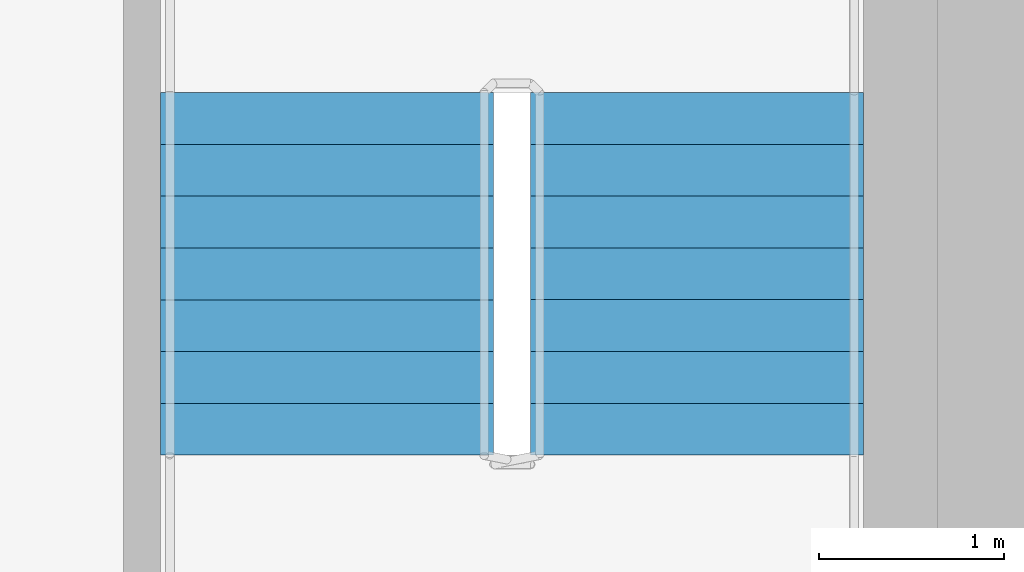
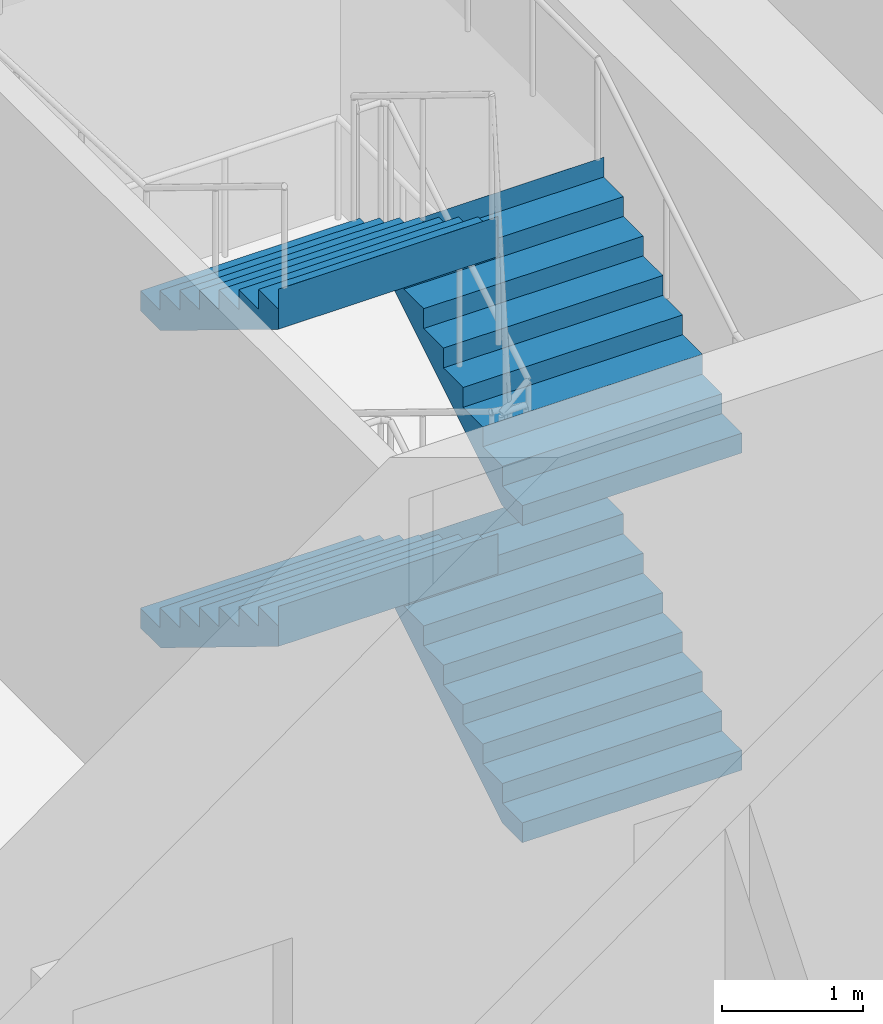
# One storey, part 5 of 8: 4 stair flights, 1 element without a shape of its own.
"""IFC4 building model written with IfcOpenShell, lengths in metres."""

from ifc_helpers import new_model, si_unit, direction, frame, origin, place, context, subcontext, project, spatial, polyline, outline, extrude, material, type_object, element, aggregate, save


model = new_model("IFC4")

# Units and contexts
model_context = context("Model", 3, precision=1e-05, world=origin(), true_north=direction((0.0, 1.0)))
body_context = subcontext(model_context, "Body", "Model", "MODEL_VIEW")
ifc_project = project(units=[si_unit("LENGTHUNIT", "METRE"), si_unit("AREAUNIT", "SQUARE_METRE"), si_unit("VOLUMEUNIT", "CUBIC_METRE"), si_unit("PLANEANGLEUNIT", "RADIAN"), si_unit("MASSUNIT", "GRAM", prefix="KILO")], contexts=[model_context])

# Site, building, storey
site_placement = place(None, origin())
site = spatial("IfcSite", under=ifc_project, at=site_placement, CompositionType="ELEMENT")
building_placement = place(site_placement, origin())
building = spatial("IfcBuilding", under=site, at=building_placement, Name="Tamorin Gate", CompositionType="ELEMENT")
storey_placement = place(building_placement, frame((0.0, 0.0, 314.699951171875)))
storey = spatial("IfcBuildingStorey", under=building, at=storey_placement, Name="L77", CompositionType="ELEMENT", Elevation=314.699951171875)

# Stair, stair flights
ifc_material = material(Name="Concrete C40/50", Category="concrete")
stair_type = type_object("IfcStairType", Name="Exit stair", PredefinedType="HALF_TURN_STAIR", material=ifc_material)
stair_placement = place(storey_placement, origin())
stair = element("IfcStair", 1, at=stair_placement, inside=storey, type_object=stair_type, Name="L77 stair ST3", PredefinedType="HALF_TURN_STAIR")
stair_flight_type = type_object("IfcStairFlightType", Name="Exit stair flight", PredefinedType="STRAIGHT", material=ifc_material)
stair_flight_1_placement = place(storey_placement, frame((58.10009765625, 62.800048828125, 0.0), z_axis=(0.0, 0.0, 1.0), x_axis=(0.0, 1.0, 0.0)))
stair_flight_1 = element("IfcStairFlight", 2, at=stair_flight_1_placement, type_object=stair_flight_type, Name="ST3 flight 1", NumberOfRisers=8, NumberOfTreads=7, PredefinedType="STRAIGHT", RiserHeight=0.171875, TreadLength=0.28, context=body_context, shape_type="SweptSolid", body=[
    extrude(outline(polyline([(-0.00048828125, 0.0), (-0.00048828125, 0.001708984375), (-0.00048828125, 0.00341796875), (-0.00048828125, 0.005126953125), (-0.00048828125, 0.0068359375), (-0.00048828125, 0.008544921875), (-0.00048828125, 0.01025390625), (-0.00048828125, 0.011962890625), (-0.00048828125, 0.013671875), (-0.00048828125, 0.015380859375), (-0.00048828125, 0.01708984375), (-0.00048828125, 0.018798828125), (-0.00048828125, 0.0205078125), (-0.00048828125, 0.022216796875), (-0.00048828125, 0.02392578125), (-0.00048828125, 0.025634765625), (-0.00048828125, 0.02734375), (-0.00048828125, 0.02880859375), (-0.00048828125, 0.030517578125), (-0.00048828125, 0.0322265625), (-0.00048828125, 0.033935546875), (-0.00048828125, 0.03564453125), (-0.00048828125, 0.037353515625), (-0.00048828125, 0.0390625), (-0.00048828125, 0.040771484375), (-0.00048828125, 0.04248046875), (-0.00048828125, 0.044189453125), (-0.00048828125, 0.0458984375), (-0.00048828125, 0.047607421875), (-0.00048828125, 0.04931640625), (-0.00048828125, 0.051025390625), (-0.00048828125, 0.052734375), (-0.00048828125, 0.054443359375), (-0.00048828125, 0.05615234375), (-0.00048828125, 0.057861328125), (-0.00048828125, 0.0595703125), (-0.00048828125, 0.061279296875), (-0.00048828125, 0.06298828125), (-0.00048828125, 0.064697265625), (-0.00048828125, 0.06640625), (-0.00048828125, 0.068115234375), (-0.00048828125, 0.06982421875), (-0.00048828125, 0.071533203125), (-0.00048828125, 0.0732421875), (-0.00048828125, 0.074951171875), (-0.00048828125, 0.07666015625), (-0.00048828125, 0.078369140625), (-0.00048828125, 0.080078125), (-0.00048828125, 0.081787109375), (-0.00048828125, 0.08349609375), (-0.00048828125, 0.085205078125), (-0.00048828125, 0.086669921875), (-0.00048828125, 0.08837890625), (-0.00048828125, 0.090087890625), (-0.00048828125, 0.091796875), (-0.00048828125, 0.093505859375), (-0.00048828125, 0.09521484375), (-0.00048828125, 0.096923828125), (-0.00048828125, 0.0986328125), (-0.00048828125, 0.100341796875), (-0.00048828125, 0.10205078125), (-0.00048828125, 0.103759765625), (-0.00048828125, 0.10546875), (-0.00048828125, 0.107177734375), (-0.00048828125, 0.10888671875), (-0.00048828125, 0.110595703125), (-0.00048828125, 0.1123046875), (-0.00048828125, 0.114013671875), (-0.00048828125, 0.11572265625), (-0.00048828125, 0.117431640625), (-0.00048828125, 0.119140625), (-0.00048828125, 0.120849609375), (-0.00048828125, 0.12255859375), (-0.00048828125, 0.124267578125), (-0.00048828125, 0.1259765625), (-0.00048828125, 0.127685546875), (-0.00048828125, 0.12939453125), (-0.00048828125, 0.131103515625), (-0.00048828125, 0.1328125), (-0.00048828125, 0.134521484375), (-0.00048828125, 0.13623046875), (-0.00048828125, 0.137939453125), (-0.00048828125, 0.1396484375), (-0.00048828125, 0.141357421875), (-0.00048828125, 0.14306640625), (-0.00048828125, 0.14453125), (-0.00048828125, 0.146240234375), (-0.00048828125, 0.14794921875), (-0.00048828125, 0.149658203125), (-0.00048828125, 0.1513671875), (-0.00048828125, 0.153076171875), (-0.00048828125, 0.15478515625), (-0.00048828125, 0.156494140625), (-0.00048828125, 0.158203125), (-0.00048828125, 0.159912109375), (-0.00048828125, 0.16162109375), (-0.00048828125, 0.163330078125), (-0.00048828125, 0.1650390625), (-0.00048828125, 0.166748046875), (-0.00048828125, 0.16845703125), (-0.00048828125, 0.170166015625), (-0.00048828125, 0.171875), (0.280029296875, 0.171875), (0.280029296875, 0.34375), (0.56005859375, 0.34375), (0.56005859375, 0.515625), (0.840087890625, 0.515625), (0.840087890625, 0.6875), (1.1201171875, 0.6875), (1.1201171875, 0.859375), (1.39990234375, 0.859375), (1.39990234375, 1.03125), (1.679931640625, 1.03125), (1.679931640625, 1.203125), (1.9599609375, 1.203125), (1.9599609375, 1.375), (1.96044921875, 1.375), (1.96044921875, 1.37158203125), (1.96044921875, 1.3681640625), (1.96044921875, 1.36474609375), (1.96044921875, 1.361328125), (1.96044921875, 1.357666015625), (1.96044921875, 1.354248046875), (1.96044921875, 1.350830078125), (1.96044921875, 1.347412109375), (1.96044921875, 1.343994140625), (1.96044921875, 1.340576171875), (1.96044921875, 1.337158203125), (1.96044921875, 1.333740234375), (1.96044921875, 1.330322265625), (1.96044921875, 1.326904296875), (1.96044921875, 1.3232421875), (1.96044921875, 1.31982421875), (1.96044921875, 1.31640625), (1.96044921875, 1.31298828125), (1.96044921875, 1.3095703125), (1.96044921875, 1.30615234375), (1.96044921875, 1.302734375), (1.96044921875, 1.29931640625), (1.96044921875, 1.2958984375), (1.96044921875, 1.29248046875), (1.96044921875, 1.288818359375), (1.96044921875, 1.285400390625), (1.96044921875, 1.281982421875), (1.96044921875, 1.278564453125), (1.96044921875, 1.275146484375), (1.96044921875, 1.271728515625), (1.96044921875, 1.268310546875), (1.96044921875, 1.264892578125), (1.96044921875, 1.261474609375), (1.96044921875, 1.2578125), (1.96044921875, 1.25439453125), (1.96044921875, 1.2509765625), (1.96044921875, 1.24755859375), (1.96044921875, 1.244140625), (1.96044921875, 1.24072265625), (1.96044921875, 1.2373046875), (1.96044921875, 1.23388671875), (1.96044921875, 1.23046875), (1.96044921875, 1.22705078125), (1.96044921875, 1.223388671875), (1.96044921875, 1.219970703125), (1.96044921875, 1.216552734375), (1.96044921875, 1.213134765625), (1.96044921875, 1.209716796875), (1.96044921875, 1.206298828125), (1.96044921875, 1.202880859375), (1.96044921875, 1.199462890625), (1.96044921875, 1.196044921875), (1.96044921875, 1.192626953125), (1.96044921875, 1.18896484375), (1.96044921875, 1.185546875), (1.96044921875, 1.18212890625), (1.96044921875, 1.1787109375), (1.96044921875, 1.17529296875), (1.96044921875, 1.171875), (1.96044921875, 1.16845703125), (1.96044921875, 1.1650390625), (1.96044921875, 1.16162109375), (1.96044921875, 1.157958984375), (1.96044921875, 1.154541015625), (1.96044921875, 1.151123046875), (1.96044921875, 1.147705078125), (1.96044921875, 1.144287109375), (1.96044921875, 1.140869140625), (1.96044921875, 1.137451171875), (1.96044921875, 1.134033203125), (1.96044921875, 1.130615234375), (1.96044921875, 1.127197265625), (1.96044921875, 1.12353515625), (1.96044921875, 1.1201171875), (1.96044921875, 1.11669921875), (1.96044921875, 1.11328125), (1.96044921875, 1.10986328125), (1.96044921875, 1.1064453125), (1.96044921875, 1.10302734375), (1.96044921875, 1.099609375), (1.96044921875, 1.09619140625), (1.96044921875, 1.0927734375), (1.96044921875, 1.089111328125), (1.96044921875, 1.085693359375), (1.96044921875, 1.082275390625), (1.96044921875, 1.078857421875), (1.96044921875, 1.075439453125), (1.96044921875, 1.072021484375), (1.96044921875, 1.068603515625), (1.96044921875, 1.065185546875), (1.96044921875, 1.061767578125), (1.96044921875, 1.05810546875), (1.96044921875, 1.0546875), (1.96044921875, 1.05126953125), (1.96044921875, 1.0478515625), (1.96044921875, 1.04443359375), (1.96044921875, 1.041015625), (1.96044921875, 1.03759765625), (1.96044921875, 1.0341796875), (1.96044921875, 1.03076171875), (1.96044921875, 1.02734375), (1.9599609375, 1.02734375), (0.28662109375, 0.0), (-0.00048828125, 0.0)])), frame((0.0, 0.89990234375, 0.0), z_axis=(0.0, -1.0, 0.0), x_axis=(1.0, 0.0, 0.0)), (0.0, 0.0, 1.0), 1.800048828125),
])
stair_flight_2_placement = place(storey_placement, frame((56.10009765625, 64.760009765625, 1.375), z_axis=(0.0, 0.0, 1.0), x_axis=(0.0, -1.0, 0.0)))
stair_flight_2 = element("IfcStairFlight", 3, at=stair_flight_2_placement, type_object=stair_flight_type, Name="ST3 flight 2", NumberOfRisers=8, NumberOfTreads=7, PredefinedType="STRAIGHT", RiserHeight=0.171875, TreadLength=0.28, context=body_context, shape_type="SweptSolid", body=[
    extrude(outline(polyline([(-0.00048828125, 0.0), (-0.00048828125, 0.001708984375), (-0.00048828125, 0.00341796875), (-0.00048828125, 0.005126953125), (-0.00048828125, 0.0068359375), (-0.00048828125, 0.008544921875), (-0.00048828125, 0.01025390625), (-0.00048828125, 0.011962890625), (-0.00048828125, 0.013671875), (-0.00048828125, 0.015380859375), (-0.00048828125, 0.01708984375), (-0.00048828125, 0.018798828125), (-0.00048828125, 0.0205078125), (-0.00048828125, 0.022216796875), (-0.00048828125, 0.02392578125), (-0.00048828125, 0.025634765625), (-0.00048828125, 0.02734375), (-0.00048828125, 0.02880859375), (-0.00048828125, 0.030517578125), (-0.00048828125, 0.0322265625), (-0.00048828125, 0.033935546875), (-0.00048828125, 0.03564453125), (-0.00048828125, 0.037353515625), (-0.00048828125, 0.0390625), (-0.00048828125, 0.040771484375), (-0.00048828125, 0.04248046875), (-0.00048828125, 0.044189453125), (-0.00048828125, 0.0458984375), (-0.00048828125, 0.047607421875), (-0.00048828125, 0.04931640625), (-0.00048828125, 0.051025390625), (-0.00048828125, 0.052734375), (-0.00048828125, 0.054443359375), (-0.00048828125, 0.05615234375), (-0.00048828125, 0.057861328125), (-0.00048828125, 0.0595703125), (-0.00048828125, 0.061279296875), (-0.00048828125, 0.06298828125), (-0.00048828125, 0.064697265625), (-0.00048828125, 0.06640625), (-0.00048828125, 0.068115234375), (-0.00048828125, 0.06982421875), (-0.00048828125, 0.071533203125), (-0.00048828125, 0.0732421875), (-0.00048828125, 0.074951171875), (-0.00048828125, 0.07666015625), (-0.00048828125, 0.078369140625), (-0.00048828125, 0.080078125), (-0.00048828125, 0.081787109375), (-0.00048828125, 0.08349609375), (-0.00048828125, 0.085205078125), (-0.00048828125, 0.086669921875), (-0.00048828125, 0.08837890625), (-0.00048828125, 0.090087890625), (-0.00048828125, 0.091796875), (-0.00048828125, 0.093505859375), (-0.00048828125, 0.09521484375), (-0.00048828125, 0.096923828125), (-0.00048828125, 0.0986328125), (-0.00048828125, 0.100341796875), (-0.00048828125, 0.10205078125), (-0.00048828125, 0.103759765625), (-0.00048828125, 0.10546875), (-0.00048828125, 0.107177734375), (-0.00048828125, 0.10888671875), (-0.00048828125, 0.110595703125), (-0.00048828125, 0.1123046875), (-0.00048828125, 0.114013671875), (-0.00048828125, 0.11572265625), (-0.00048828125, 0.117431640625), (-0.00048828125, 0.119140625), (-0.00048828125, 0.120849609375), (-0.00048828125, 0.12255859375), (-0.00048828125, 0.124267578125), (-0.00048828125, 0.1259765625), (-0.00048828125, 0.127685546875), (-0.00048828125, 0.12939453125), (-0.00048828125, 0.131103515625), (-0.00048828125, 0.1328125), (-0.00048828125, 0.134521484375), (-0.00048828125, 0.13623046875), (-0.00048828125, 0.137939453125), (-0.00048828125, 0.1396484375), (-0.00048828125, 0.141357421875), (-0.00048828125, 0.14306640625), (-0.00048828125, 0.14453125), (-0.00048828125, 0.146240234375), (-0.00048828125, 0.14794921875), (-0.00048828125, 0.149658203125), (-0.00048828125, 0.1513671875), (-0.00048828125, 0.153076171875), (-0.00048828125, 0.15478515625), (-0.00048828125, 0.156494140625), (-0.00048828125, 0.158203125), (-0.00048828125, 0.159912109375), (-0.00048828125, 0.16162109375), (-0.00048828125, 0.163330078125), (-0.00048828125, 0.1650390625), (-0.00048828125, 0.166748046875), (-0.00048828125, 0.16845703125), (-0.00048828125, 0.170166015625), (-0.00048828125, 0.171875), (0.280029296875, 0.171875), (0.280029296875, 0.34375), (0.56005859375, 0.34375), (0.56005859375, 0.515625), (0.840087890625, 0.515625), (0.840087890625, 0.6875), (1.1201171875, 0.6875), (1.1201171875, 0.859375), (1.39990234375, 0.859375), (1.39990234375, 1.03125), (1.679931640625, 1.03125), (1.679931640625, 1.203125), (1.9599609375, 1.203125), (1.9599609375, 1.375), (1.96044921875, 1.375), (1.96044921875, 1.37158203125), (1.96044921875, 1.3681640625), (1.96044921875, 1.36474609375), (1.96044921875, 1.361328125), (1.96044921875, 1.357666015625), (1.96044921875, 1.354248046875), (1.96044921875, 1.350830078125), (1.96044921875, 1.347412109375), (1.96044921875, 1.343994140625), (1.96044921875, 1.340576171875), (1.96044921875, 1.337158203125), (1.96044921875, 1.333740234375), (1.96044921875, 1.330322265625), (1.96044921875, 1.326904296875), (1.96044921875, 1.3232421875), (1.96044921875, 1.31982421875), (1.96044921875, 1.31640625), (1.96044921875, 1.31298828125), (1.96044921875, 1.3095703125), (1.96044921875, 1.30615234375), (1.96044921875, 1.302734375), (1.96044921875, 1.29931640625), (1.96044921875, 1.2958984375), (1.96044921875, 1.29248046875), (1.96044921875, 1.288818359375), (1.96044921875, 1.285400390625), (1.96044921875, 1.281982421875), (1.96044921875, 1.278564453125), (1.96044921875, 1.275146484375), (1.96044921875, 1.271728515625), (1.96044921875, 1.268310546875), (1.96044921875, 1.264892578125), (1.96044921875, 1.261474609375), (1.96044921875, 1.2578125), (1.96044921875, 1.25439453125), (1.96044921875, 1.2509765625), (1.96044921875, 1.24755859375), (1.96044921875, 1.244140625), (1.96044921875, 1.24072265625), (1.96044921875, 1.2373046875), (1.96044921875, 1.23388671875), (1.96044921875, 1.23046875), (1.96044921875, 1.22705078125), (1.96044921875, 1.223388671875), (1.96044921875, 1.219970703125), (1.96044921875, 1.216552734375), (1.96044921875, 1.213134765625), (1.96044921875, 1.209716796875), (1.96044921875, 1.206298828125), (1.96044921875, 1.202880859375), (1.96044921875, 1.199462890625), (1.96044921875, 1.196044921875), (1.96044921875, 1.192626953125), (1.96044921875, 1.18896484375), (1.96044921875, 1.185546875), (1.96044921875, 1.18212890625), (1.96044921875, 1.1787109375), (1.96044921875, 1.17529296875), (1.96044921875, 1.171875), (1.96044921875, 1.16845703125), (1.96044921875, 1.1650390625), (1.96044921875, 1.16162109375), (1.96044921875, 1.157958984375), (1.96044921875, 1.154541015625), (1.96044921875, 1.151123046875), (1.96044921875, 1.147705078125), (1.96044921875, 1.144287109375), (1.96044921875, 1.140869140625), (1.96044921875, 1.137451171875), (1.96044921875, 1.134033203125), (1.96044921875, 1.130615234375), (1.96044921875, 1.127197265625), (1.96044921875, 1.12353515625), (1.96044921875, 1.1201171875), (1.96044921875, 1.11669921875), (1.96044921875, 1.11328125), (1.96044921875, 1.10986328125), (1.96044921875, 1.1064453125), (1.96044921875, 1.10302734375), (1.96044921875, 1.099609375), (1.96044921875, 1.09619140625), (1.96044921875, 1.0927734375), (1.96044921875, 1.089111328125), (1.96044921875, 1.085693359375), (1.96044921875, 1.082275390625), (1.96044921875, 1.078857421875), (1.96044921875, 1.075439453125), (1.96044921875, 1.072021484375), (1.96044921875, 1.068603515625), (1.96044921875, 1.065185546875), (1.96044921875, 1.061767578125), (1.96044921875, 1.05810546875), (1.96044921875, 1.0546875), (1.96044921875, 1.05126953125), (1.96044921875, 1.0478515625), (1.96044921875, 1.04443359375), (1.96044921875, 1.041015625), (1.96044921875, 1.03759765625), (1.96044921875, 1.0341796875), (1.96044921875, 1.03076171875), (1.96044921875, 1.02734375), (1.9599609375, 1.02734375), (0.28662109375, 0.0), (-0.00048828125, 0.0)])), frame((0.0, 0.89990234375, 0.0), z_axis=(0.0, -1.0, 0.0), x_axis=(1.0, 0.0, 0.0)), (0.0, 0.0, 1.0), 1.800048828125),
])
stair_flight_3_placement = place(storey_placement, frame((58.10009765625, 62.800048828125, 2.75), z_axis=(0.0, 0.0, 1.0), x_axis=(0.0, 1.0, 0.0)))
stair_flight_3 = element("IfcStairFlight", 4, at=stair_flight_3_placement, type_object=stair_flight_type, Name="ST3 flight 3", NumberOfRisers=8, NumberOfTreads=7, PredefinedType="STRAIGHT", RiserHeight=0.171875, TreadLength=0.28, context=body_context, shape_type="SweptSolid", body=[
    extrude(outline(polyline([(-0.00048828125, 0.0), (-0.00048828125, 0.001708984375), (-0.00048828125, 0.00341796875), (-0.00048828125, 0.005126953125), (-0.00048828125, 0.0068359375), (-0.00048828125, 0.008544921875), (-0.00048828125, 0.01025390625), (-0.00048828125, 0.011962890625), (-0.00048828125, 0.013671875), (-0.00048828125, 0.015380859375), (-0.00048828125, 0.01708984375), (-0.00048828125, 0.018798828125), (-0.00048828125, 0.0205078125), (-0.00048828125, 0.022216796875), (-0.00048828125, 0.02392578125), (-0.00048828125, 0.025634765625), (-0.00048828125, 0.02734375), (-0.00048828125, 0.02880859375), (-0.00048828125, 0.030517578125), (-0.00048828125, 0.0322265625), (-0.00048828125, 0.033935546875), (-0.00048828125, 0.03564453125), (-0.00048828125, 0.037353515625), (-0.00048828125, 0.0390625), (-0.00048828125, 0.040771484375), (-0.00048828125, 0.04248046875), (-0.00048828125, 0.044189453125), (-0.00048828125, 0.0458984375), (-0.00048828125, 0.047607421875), (-0.00048828125, 0.04931640625), (-0.00048828125, 0.051025390625), (-0.00048828125, 0.052734375), (-0.00048828125, 0.054443359375), (-0.00048828125, 0.05615234375), (-0.00048828125, 0.057861328125), (-0.00048828125, 0.0595703125), (-0.00048828125, 0.061279296875), (-0.00048828125, 0.06298828125), (-0.00048828125, 0.064697265625), (-0.00048828125, 0.06640625), (-0.00048828125, 0.068115234375), (-0.00048828125, 0.06982421875), (-0.00048828125, 0.071533203125), (-0.00048828125, 0.0732421875), (-0.00048828125, 0.074951171875), (-0.00048828125, 0.07666015625), (-0.00048828125, 0.078369140625), (-0.00048828125, 0.080078125), (-0.00048828125, 0.081787109375), (-0.00048828125, 0.08349609375), (-0.00048828125, 0.085205078125), (-0.00048828125, 0.086669921875), (-0.00048828125, 0.08837890625), (-0.00048828125, 0.090087890625), (-0.00048828125, 0.091796875), (-0.00048828125, 0.093505859375), (-0.00048828125, 0.09521484375), (-0.00048828125, 0.096923828125), (-0.00048828125, 0.0986328125), (-0.00048828125, 0.100341796875), (-0.00048828125, 0.10205078125), (-0.00048828125, 0.103759765625), (-0.00048828125, 0.10546875), (-0.00048828125, 0.107177734375), (-0.00048828125, 0.10888671875), (-0.00048828125, 0.110595703125), (-0.00048828125, 0.1123046875), (-0.00048828125, 0.114013671875), (-0.00048828125, 0.11572265625), (-0.00048828125, 0.117431640625), (-0.00048828125, 0.119140625), (-0.00048828125, 0.120849609375), (-0.00048828125, 0.12255859375), (-0.00048828125, 0.124267578125), (-0.00048828125, 0.1259765625), (-0.00048828125, 0.127685546875), (-0.00048828125, 0.12939453125), (-0.00048828125, 0.131103515625), (-0.00048828125, 0.1328125), (-0.00048828125, 0.134521484375), (-0.00048828125, 0.13623046875), (-0.00048828125, 0.137939453125), (-0.00048828125, 0.1396484375), (-0.00048828125, 0.141357421875), (-0.00048828125, 0.14306640625), (-0.00048828125, 0.14453125), (-0.00048828125, 0.146240234375), (-0.00048828125, 0.14794921875), (-0.00048828125, 0.149658203125), (-0.00048828125, 0.1513671875), (-0.00048828125, 0.153076171875), (-0.00048828125, 0.15478515625), (-0.00048828125, 0.156494140625), (-0.00048828125, 0.158203125), (-0.00048828125, 0.159912109375), (-0.00048828125, 0.16162109375), (-0.00048828125, 0.163330078125), (-0.00048828125, 0.1650390625), (-0.00048828125, 0.166748046875), (-0.00048828125, 0.16845703125), (-0.00048828125, 0.170166015625), (-0.00048828125, 0.171875), (0.280029296875, 0.171875), (0.280029296875, 0.34375), (0.56005859375, 0.34375), (0.56005859375, 0.515625), (0.840087890625, 0.515625), (0.840087890625, 0.6875), (1.1201171875, 0.6875), (1.1201171875, 0.859375), (1.39990234375, 0.859375), (1.39990234375, 1.03125), (1.679931640625, 1.03125), (1.679931640625, 1.203125), (1.9599609375, 1.203125), (1.9599609375, 1.375), (1.96044921875, 1.375), (1.96044921875, 1.37158203125), (1.96044921875, 1.3681640625), (1.96044921875, 1.36474609375), (1.96044921875, 1.361328125), (1.96044921875, 1.357666015625), (1.96044921875, 1.354248046875), (1.96044921875, 1.350830078125), (1.96044921875, 1.347412109375), (1.96044921875, 1.343994140625), (1.96044921875, 1.340576171875), (1.96044921875, 1.337158203125), (1.96044921875, 1.333740234375), (1.96044921875, 1.330322265625), (1.96044921875, 1.326904296875), (1.96044921875, 1.3232421875), (1.96044921875, 1.31982421875), (1.96044921875, 1.31640625), (1.96044921875, 1.31298828125), (1.96044921875, 1.3095703125), (1.96044921875, 1.30615234375), (1.96044921875, 1.302734375), (1.96044921875, 1.29931640625), (1.96044921875, 1.2958984375), (1.96044921875, 1.29248046875), (1.96044921875, 1.288818359375), (1.96044921875, 1.285400390625), (1.96044921875, 1.281982421875), (1.96044921875, 1.278564453125), (1.96044921875, 1.275146484375), (1.96044921875, 1.271728515625), (1.96044921875, 1.268310546875), (1.96044921875, 1.264892578125), (1.96044921875, 1.261474609375), (1.96044921875, 1.2578125), (1.96044921875, 1.25439453125), (1.96044921875, 1.2509765625), (1.96044921875, 1.24755859375), (1.96044921875, 1.244140625), (1.96044921875, 1.24072265625), (1.96044921875, 1.2373046875), (1.96044921875, 1.23388671875), (1.96044921875, 1.23046875), (1.96044921875, 1.22705078125), (1.96044921875, 1.223388671875), (1.96044921875, 1.219970703125), (1.96044921875, 1.216552734375), (1.96044921875, 1.213134765625), (1.96044921875, 1.209716796875), (1.96044921875, 1.206298828125), (1.96044921875, 1.202880859375), (1.96044921875, 1.199462890625), (1.96044921875, 1.196044921875), (1.96044921875, 1.192626953125), (1.96044921875, 1.18896484375), (1.96044921875, 1.185546875), (1.96044921875, 1.18212890625), (1.96044921875, 1.1787109375), (1.96044921875, 1.17529296875), (1.96044921875, 1.171875), (1.96044921875, 1.16845703125), (1.96044921875, 1.1650390625), (1.96044921875, 1.16162109375), (1.96044921875, 1.157958984375), (1.96044921875, 1.154541015625), (1.96044921875, 1.151123046875), (1.96044921875, 1.147705078125), (1.96044921875, 1.144287109375), (1.96044921875, 1.140869140625), (1.96044921875, 1.137451171875), (1.96044921875, 1.134033203125), (1.96044921875, 1.130615234375), (1.96044921875, 1.127197265625), (1.96044921875, 1.12353515625), (1.96044921875, 1.1201171875), (1.96044921875, 1.11669921875), (1.96044921875, 1.11328125), (1.96044921875, 1.10986328125), (1.96044921875, 1.1064453125), (1.96044921875, 1.10302734375), (1.96044921875, 1.099609375), (1.96044921875, 1.09619140625), (1.96044921875, 1.0927734375), (1.96044921875, 1.089111328125), (1.96044921875, 1.085693359375), (1.96044921875, 1.082275390625), (1.96044921875, 1.078857421875), (1.96044921875, 1.075439453125), (1.96044921875, 1.072021484375), (1.96044921875, 1.068603515625), (1.96044921875, 1.065185546875), (1.96044921875, 1.061767578125), (1.96044921875, 1.05810546875), (1.96044921875, 1.0546875), (1.96044921875, 1.05126953125), (1.96044921875, 1.0478515625), (1.96044921875, 1.04443359375), (1.96044921875, 1.041015625), (1.96044921875, 1.03759765625), (1.96044921875, 1.0341796875), (1.96044921875, 1.03076171875), (1.96044921875, 1.02734375), (1.9599609375, 1.02734375), (0.28662109375, 0.0), (-0.00048828125, 0.0)])), frame((0.0, 0.89990234375, 0.0), z_axis=(0.0, -1.0, 0.0), x_axis=(1.0, 0.0, 0.0)), (0.0, 0.0, 1.0), 1.800048828125),
])
stair_flight_4_placement = place(storey_placement, frame((56.10009765625, 64.760009765625, 4.125), z_axis=(0.0, 0.0, 1.0), x_axis=(0.0, -1.0, 0.0)))
stair_flight_4 = element("IfcStairFlight", 5, at=stair_flight_4_placement, type_object=stair_flight_type, Name="ST3 flight 4", NumberOfRisers=8, NumberOfTreads=7, PredefinedType="STRAIGHT", RiserHeight=0.171875, TreadLength=0.28, context=body_context, shape_type="SweptSolid", body=[
    extrude(outline(polyline([(-0.00048828125, 0.0), (-0.00048828125, 0.001708984375), (-0.00048828125, 0.00341796875), (-0.00048828125, 0.005126953125), (-0.00048828125, 0.0068359375), (-0.00048828125, 0.008544921875), (-0.00048828125, 0.01025390625), (-0.00048828125, 0.011962890625), (-0.00048828125, 0.013671875), (-0.00048828125, 0.015380859375), (-0.00048828125, 0.01708984375), (-0.00048828125, 0.018798828125), (-0.00048828125, 0.0205078125), (-0.00048828125, 0.022216796875), (-0.00048828125, 0.02392578125), (-0.00048828125, 0.025634765625), (-0.00048828125, 0.02734375), (-0.00048828125, 0.02880859375), (-0.00048828125, 0.030517578125), (-0.00048828125, 0.0322265625), (-0.00048828125, 0.033935546875), (-0.00048828125, 0.03564453125), (-0.00048828125, 0.037353515625), (-0.00048828125, 0.0390625), (-0.00048828125, 0.040771484375), (-0.00048828125, 0.04248046875), (-0.00048828125, 0.044189453125), (-0.00048828125, 0.0458984375), (-0.00048828125, 0.047607421875), (-0.00048828125, 0.04931640625), (-0.00048828125, 0.051025390625), (-0.00048828125, 0.052734375), (-0.00048828125, 0.054443359375), (-0.00048828125, 0.05615234375), (-0.00048828125, 0.057861328125), (-0.00048828125, 0.0595703125), (-0.00048828125, 0.061279296875), (-0.00048828125, 0.06298828125), (-0.00048828125, 0.064697265625), (-0.00048828125, 0.06640625), (-0.00048828125, 0.068115234375), (-0.00048828125, 0.06982421875), (-0.00048828125, 0.071533203125), (-0.00048828125, 0.0732421875), (-0.00048828125, 0.074951171875), (-0.00048828125, 0.07666015625), (-0.00048828125, 0.078369140625), (-0.00048828125, 0.080078125), (-0.00048828125, 0.081787109375), (-0.00048828125, 0.08349609375), (-0.00048828125, 0.085205078125), (-0.00048828125, 0.086669921875), (-0.00048828125, 0.08837890625), (-0.00048828125, 0.090087890625), (-0.00048828125, 0.091796875), (-0.00048828125, 0.093505859375), (-0.00048828125, 0.09521484375), (-0.00048828125, 0.096923828125), (-0.00048828125, 0.0986328125), (-0.00048828125, 0.100341796875), (-0.00048828125, 0.10205078125), (-0.00048828125, 0.103759765625), (-0.00048828125, 0.10546875), (-0.00048828125, 0.107177734375), (-0.00048828125, 0.10888671875), (-0.00048828125, 0.110595703125), (-0.00048828125, 0.1123046875), (-0.00048828125, 0.114013671875), (-0.00048828125, 0.11572265625), (-0.00048828125, 0.117431640625), (-0.00048828125, 0.119140625), (-0.00048828125, 0.120849609375), (-0.00048828125, 0.12255859375), (-0.00048828125, 0.124267578125), (-0.00048828125, 0.1259765625), (-0.00048828125, 0.127685546875), (-0.00048828125, 0.12939453125), (-0.00048828125, 0.131103515625), (-0.00048828125, 0.1328125), (-0.00048828125, 0.134521484375), (-0.00048828125, 0.13623046875), (-0.00048828125, 0.137939453125), (-0.00048828125, 0.1396484375), (-0.00048828125, 0.141357421875), (-0.00048828125, 0.14306640625), (-0.00048828125, 0.14453125), (-0.00048828125, 0.146240234375), (-0.00048828125, 0.14794921875), (-0.00048828125, 0.149658203125), (-0.00048828125, 0.1513671875), (-0.00048828125, 0.153076171875), (-0.00048828125, 0.15478515625), (-0.00048828125, 0.156494140625), (-0.00048828125, 0.158203125), (-0.00048828125, 0.159912109375), (-0.00048828125, 0.16162109375), (-0.00048828125, 0.163330078125), (-0.00048828125, 0.1650390625), (-0.00048828125, 0.166748046875), (-0.00048828125, 0.16845703125), (-0.00048828125, 0.170166015625), (-0.00048828125, 0.171875), (0.280029296875, 0.171875), (0.280029296875, 0.34375), (0.56005859375, 0.34375), (0.56005859375, 0.515625), (0.840087890625, 0.515625), (0.840087890625, 0.6875), (1.1201171875, 0.6875), (1.1201171875, 0.859375), (1.39990234375, 0.859375), (1.39990234375, 1.03125), (1.679931640625, 1.03125), (1.679931640625, 1.203125), (1.9599609375, 1.203125), (1.9599609375, 1.375), (1.96044921875, 1.375), (1.96044921875, 1.37158203125), (1.96044921875, 1.3681640625), (1.96044921875, 1.36474609375), (1.96044921875, 1.361328125), (1.96044921875, 1.357666015625), (1.96044921875, 1.354248046875), (1.96044921875, 1.350830078125), (1.96044921875, 1.347412109375), (1.96044921875, 1.343994140625), (1.96044921875, 1.340576171875), (1.96044921875, 1.337158203125), (1.96044921875, 1.333740234375), (1.96044921875, 1.330322265625), (1.96044921875, 1.326904296875), (1.96044921875, 1.3232421875), (1.96044921875, 1.31982421875), (1.96044921875, 1.31640625), (1.96044921875, 1.31298828125), (1.96044921875, 1.3095703125), (1.96044921875, 1.30615234375), (1.96044921875, 1.302734375), (1.96044921875, 1.29931640625), (1.96044921875, 1.2958984375), (1.96044921875, 1.29248046875), (1.96044921875, 1.288818359375), (1.96044921875, 1.285400390625), (1.96044921875, 1.281982421875), (1.96044921875, 1.278564453125), (1.96044921875, 1.275146484375), (1.96044921875, 1.271728515625), (1.96044921875, 1.268310546875), (1.96044921875, 1.264892578125), (1.96044921875, 1.261474609375), (1.96044921875, 1.2578125), (1.96044921875, 1.25439453125), (1.96044921875, 1.2509765625), (1.96044921875, 1.24755859375), (1.96044921875, 1.244140625), (1.96044921875, 1.24072265625), (1.96044921875, 1.2373046875), (1.96044921875, 1.23388671875), (1.96044921875, 1.23046875), (1.96044921875, 1.22705078125), (1.96044921875, 1.223388671875), (1.96044921875, 1.219970703125), (1.96044921875, 1.216552734375), (1.96044921875, 1.213134765625), (1.96044921875, 1.209716796875), (1.96044921875, 1.206298828125), (1.96044921875, 1.202880859375), (1.96044921875, 1.199462890625), (1.96044921875, 1.196044921875), (1.96044921875, 1.192626953125), (1.96044921875, 1.18896484375), (1.96044921875, 1.185546875), (1.96044921875, 1.18212890625), (1.96044921875, 1.1787109375), (1.96044921875, 1.17529296875), (1.96044921875, 1.171875), (1.96044921875, 1.16845703125), (1.96044921875, 1.1650390625), (1.96044921875, 1.16162109375), (1.96044921875, 1.157958984375), (1.96044921875, 1.154541015625), (1.96044921875, 1.151123046875), (1.96044921875, 1.147705078125), (1.96044921875, 1.144287109375), (1.96044921875, 1.140869140625), (1.96044921875, 1.137451171875), (1.96044921875, 1.134033203125), (1.96044921875, 1.130615234375), (1.96044921875, 1.127197265625), (1.96044921875, 1.12353515625), (1.96044921875, 1.1201171875), (1.96044921875, 1.11669921875), (1.96044921875, 1.11328125), (1.96044921875, 1.10986328125), (1.96044921875, 1.1064453125), (1.96044921875, 1.10302734375), (1.96044921875, 1.099609375), (1.96044921875, 1.09619140625), (1.96044921875, 1.0927734375), (1.96044921875, 1.089111328125), (1.96044921875, 1.085693359375), (1.96044921875, 1.082275390625), (1.96044921875, 1.078857421875), (1.96044921875, 1.075439453125), (1.96044921875, 1.072021484375), (1.96044921875, 1.068603515625), (1.96044921875, 1.065185546875), (1.96044921875, 1.061767578125), (1.96044921875, 1.05810546875), (1.96044921875, 1.0546875), (1.96044921875, 1.05126953125), (1.96044921875, 1.0478515625), (1.96044921875, 1.04443359375), (1.96044921875, 1.041015625), (1.96044921875, 1.03759765625), (1.96044921875, 1.0341796875), (1.96044921875, 1.03076171875), (1.96044921875, 1.02734375), (1.9599609375, 1.02734375), (0.28662109375, 0.0), (-0.00048828125, 0.0)])), frame((0.0, 0.89990234375, 0.0), z_axis=(0.0, -1.0, 0.0), x_axis=(1.0, 0.0, 0.0)), (0.0, 0.0, 1.0), 1.800048828125),
])
aggregate(stair, [stair_flight_1, stair_flight_2, stair_flight_3, stair_flight_4])

save(model, "model.ifc")
